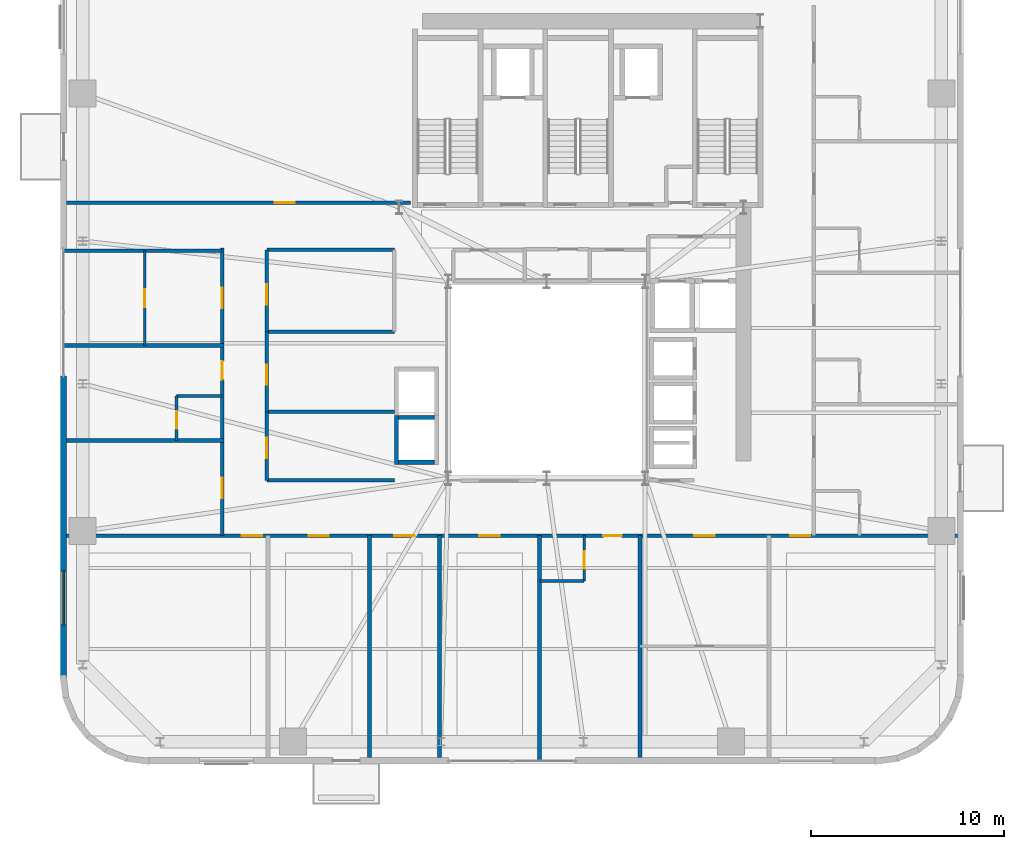
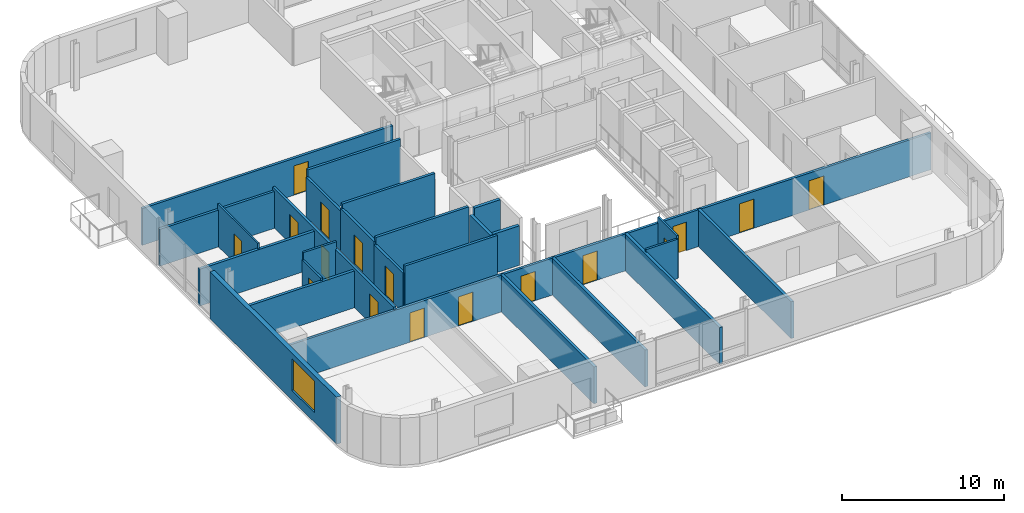
# One storey, part 7 of 13: 26 walls, 17 doors, 1 window, 18 openings.
"""IFC4 building model written with IfcOpenShell, lengths in metres."""

import ifcopenshell
import ifcopenshell.guid

model = None  # the IFC model being written
_history = None  # IfcOwnerHistory: only IFC2X3 demands one
_inside = {}  # id of a spatial element -> (the spatial element, [elements in it])
_under = {}  # id of a project, library or spatial element -> (it, [spatial elements below it])
_declared = {}  # id of a project -> (the project, [libraries it declares])
_typed = {}  # id of a type object -> (the type object, [elements of that type])
_made_of = {}  # id of a material, layer set ... -> (it, [elements and type objects made of it])


def new_model(schema):
    """Start an empty IFC model of exactly this schema.

    Asked for "IFC4X3", IfcOpenShell would pick the latest addendum, in which some entities
    have other attributes; the version numbers below select the first issue.
    IFC2X3 requires an IfcOwnerHistory on every rooted entity: one is made here for all.
    """
    global model, _history
    if schema == "IFC4X3":
        model = ifcopenshell.file(schema_version=(4, 3, 0, 0))
    else:
        model = ifcopenshell.file(schema=schema)
    _inside.clear()
    _under.clear()
    _declared.clear()
    _typed.clear()
    _made_of.clear()
    _history = None
    if model.schema == "IFC2X3":
        org = make("IfcOrganization", Name="unknown")
        user = make(
            "IfcPersonAndOrganization",
            ThePerson=make("IfcPerson", FamilyName="unknown"),
            TheOrganization=org,
        )
        app = make(
            "IfcApplication",
            ApplicationDeveloper=org,
            Version="unknown",
            ApplicationFullName="unknown",
            ApplicationIdentifier="unknown",
        )
        _history = make(
            "IfcOwnerHistory",
            OwningUser=user,
            OwningApplication=app,
            ChangeAction="ADDED",
            CreationDate=0,
        )
    return model


def make(cls, **values):
    """One entity of the class cls with the attributes given. An attribute that is None is left unset."""
    return model.create_entity(
        cls, **{name: value for name, value in values.items() if value is not None}
    )


def rooted(cls, **values):
    """An entity with a GlobalId (a new one), such as an element, a storey or a relation."""
    return make(cls, GlobalId=ifcopenshell.guid.new(), OwnerHistory=_history, **values)


def si_unit(unit_type, name, prefix=None):
    """IfcSIUnit, for example si_unit("LENGTHUNIT", "METRE", prefix="MILLI")."""
    return make("IfcSIUnit", UnitType=unit_type, Prefix=prefix, Name=name)


def assignment(units):
    """IfcUnitAssignment: the units of a project."""
    return None if units is None else make("IfcUnitAssignment", Units=units)


def point(xyz):
    """IfcCartesianPoint."""
    return None if xyz is None else make("IfcCartesianPoint", Coordinates=xyz)


def direction(xyz):
    """IfcDirection."""
    return None if xyz is None else make("IfcDirection", DirectionRatios=xyz)


def frame(location, z_axis=None, x_axis=None):
    """IfcAxis2Placement3D, a coordinate frame: its origin and axes. An axis left out is left unset."""
    return make(
        "IfcAxis2Placement3D",
        Location=point(location),
        Axis=direction(z_axis),
        RefDirection=direction(x_axis),
    )


def frame_2d(location, x_axis=None):
    """IfcAxis2Placement2D, a coordinate frame in the plane: its origin and x axis."""
    return make(
        "IfcAxis2Placement2D", Location=point(location), RefDirection=direction(x_axis)
    )


def origin():
    """The frame at (0, 0, 0) with its axes left unset."""
    return frame((0.0, 0.0, 0.0))


def place(relative_to, where):
    """IfcLocalPlacement: puts the frame where relative to a parent placement (None: the world)."""
    return make(
        "IfcLocalPlacement", PlacementRelTo=relative_to, RelativePlacement=where
    )


def context(
    kind, dimensions, precision=None, world=None, true_north=None, identifier=None
):
    """IfcGeometricRepresentationContext, for example the 3D "Model" context."""
    return make(
        "IfcGeometricRepresentationContext",
        ContextIdentifier=identifier,
        ContextType=kind,
        CoordinateSpaceDimension=dimensions,
        Precision=precision,
        WorldCoordinateSystem=world,
        TrueNorth=true_north,
    )


def subcontext(parent, identifier, kind, view, scale=None):
    """IfcGeometricRepresentationSubContext, for example "Body" below "Model"."""
    return make(
        "IfcGeometricRepresentationSubContext",
        ContextIdentifier=identifier,
        ContextType=kind,
        ParentContext=parent,
        TargetScale=scale,
        TargetView=view,
    )


def project(units=None, contexts=None):
    """IfcProject with its units and contexts."""
    return rooted(
        "IfcProject",
        Name="project",
        RepresentationContexts=contexts,
        UnitsInContext=assignment(units),
    )


def spatial(cls, under=None, at=None, **own):
    """A site, building, storey or space (cls), placed at a placement, below another one or the project."""
    s = rooted(cls, ObjectPlacement=at, **own)
    if under is not None:
        _under.setdefault(under.id(), (under, []))[1].append(s)
    return s


def profile(cls, at=None, kind="AREA", **sizes):
    """A parametric profile (cls). Its sizes go by their IFC names, for example OverallWidth=200.0."""
    return make(cls, ProfileType=kind, Position=at, **sizes)


def rectangle(**sizes):
    """IfcRectangleProfileDef."""
    return profile("IfcRectangleProfileDef", **sizes)


def extrude(swept, where, along, depth):
    """IfcExtrudedAreaSolid: the profile swept, set in the frame where, extruded along a direction by depth."""
    return make(
        "IfcExtrudedAreaSolid",
        SweptArea=swept,
        Position=where,
        ExtrudedDirection=direction(along),
        Depth=depth,
    )


def shape(context_of_items, identifier, shape_type, items):
    """IfcShapeRepresentation: the items that make up one representation, for example the "Body"."""
    return make(
        "IfcShapeRepresentation",
        ContextOfItems=context_of_items,
        RepresentationIdentifier=identifier,
        RepresentationType=shape_type,
        Items=items,
    )


def source(mapping_origin, context_of_items, identifier, shape_type, items):
    """IfcRepresentationMap: a shape defined once, which mapped items show again and again."""
    return make(
        "IfcRepresentationMap",
        MappingOrigin=mapping_origin,
        MappedRepresentation=shape(context_of_items, identifier, shape_type, items),
    )


def transform(
    local_origin,
    x_axis=None,
    y_axis=None,
    z_axis=None,
    scale=None,
    scale2=None,
    scale3=None,
    uniform=True,
):
    """IfcCartesianTransformationOperator3D, or its non-uniform kind. x_axis, y_axis, z_axis: its Axis1, 2, 3."""
    if uniform:
        return make(
            "IfcCartesianTransformationOperator3D",
            Axis1=direction(x_axis),
            Axis2=direction(y_axis),
            LocalOrigin=point(local_origin),
            Scale=scale,
            Axis3=direction(z_axis),
        )
    return make(
        "IfcCartesianTransformationOperator3DnonUniform",
        Axis1=direction(x_axis),
        Axis2=direction(y_axis),
        LocalOrigin=point(local_origin),
        Scale=scale,
        Axis3=direction(z_axis),
        Scale2=scale2,
        Scale3=scale3,
    )


def mapped(mapping_source, mapping_target):
    """IfcMappedItem: shows the shape of a source again, moved by a transform."""
    return make(
        "IfcMappedItem", MappingSource=mapping_source, MappingTarget=mapping_target
    )


def material(Name=None, Category=None):
    """IfcMaterial."""
    return make("IfcMaterial", Name=Name, Category=Category)


def layer(
    of_material, thickness, ventilated=None, Name=None, Category=None, Priority=None
):
    """IfcMaterialLayer: one layer of a wall or slab, of a material (None: an air gap)."""
    return make(
        "IfcMaterialLayer",
        Material=of_material,
        LayerThickness=thickness,
        IsVentilated=ventilated,
        Name=Name,
        Category=Category,
        Priority=Priority,
    )


def layer_set(layers, Name=None):
    """IfcMaterialLayerSet."""
    return make("IfcMaterialLayerSet", MaterialLayers=layers, LayerSetName=Name)


def made_of(thing, what):
    """Note that an element or type object is made of a material, layer set ...; save() writes the relation."""
    if what is not None:
        _made_of.setdefault(what.id(), (what, []))[1].append(thing)
    return thing


def type_object(cls, material=None, **own):
    """A type object (cls), such as IfcWallType, which elements share."""
    return made_of(rooted(cls, **own), material)


def element(
    cls,
    number,
    at=None,
    inside=None,
    cuts=None,
    type_object=None,
    material=None,
    context=None,
    identifier="Body",
    shape_type=None,
    held_by="IfcProductDefinitionShape",
    body=None,
    shapes=None,
    **own,
):
    """One element of the class cls, such as IfcWall. Its Tag is "e" and its number.

    at: its placement. inside: the storey or other place that contains it. cuts: it is an
    opening in that element (IfcRelVoidsElement). A single representation is given by context,
    identifier, shape_type and body (its items); several are given by shapes. held_by: the class
    of the entity that holds the representations. save() writes the other relations.
    """
    e = rooted(cls, Tag="e%d" % number, ObjectPlacement=at, **own)
    if body is not None:
        shapes = [shape(context, identifier, shape_type, body)]
    if shapes is not None:
        e.Representation = make(held_by, Representations=shapes)
    if inside is not None:
        _inside.setdefault(inside.id(), (inside, []))[1].append(e)
    if cuts is not None:
        rooted(
            "IfcRelVoidsElement", RelatingBuildingElement=cuts, RelatedOpeningElement=e
        )
    if type_object is not None:
        _typed.setdefault(type_object.id(), (type_object, []))[1].append(e)
    return made_of(e, material)


def fill(opening, filler):
    """IfcRelFillsElement: the door or window that sits in an opening."""
    return rooted(
        "IfcRelFillsElement",
        RelatingOpeningElement=opening,
        RelatedBuildingElement=filler,
    )


def aggregate(whole, parts):
    """IfcRelAggregates: a whole, such as a stair, and the parts it consists of."""
    return rooted("IfcRelAggregates", RelatingObject=whole, RelatedObjects=parts)


def save(model, path):
    """Write the relations noted so far, then the file.

    IfcRelAggregates (storeys below a building ...), IfcRelContainedInSpatialStructure (elements
    in a storey), IfcRelDefinesByType, IfcRelAssociatesMaterial and IfcRelDeclares: one each for
    every whole, place, type object, material and project.
    """
    for whole, parts in _under.values():
        aggregate(whole, parts)
    for where, things in _inside.values():
        rooted(
            "IfcRelContainedInSpatialStructure",
            RelatedElements=things,
            RelatingStructure=where,
        )
    for kind, things in _typed.values():
        rooted("IfcRelDefinesByType", RelatedObjects=things, RelatingType=kind)
    for what, things in _made_of.values():
        rooted("IfcRelAssociatesMaterial", RelatedObjects=things, RelatingMaterial=what)
    for by, libraries in _declared.values():
        rooted("IfcRelDeclares", RelatingContext=by, RelatedDefinitions=libraries)
    model.write(path)


model = new_model("IFC4")

# Units and contexts
model_context = context("Model", 3, precision=1e-05, world=origin(), true_north=direction((0.0, 1.0)))
body_context = subcontext(model_context, "Body", "Model", "MODEL_VIEW")
ifc_project = project(units=[si_unit("LENGTHUNIT", "METRE"), si_unit("AREAUNIT", "SQUARE_METRE"), si_unit("VOLUMEUNIT", "CUBIC_METRE"), si_unit("PLANEANGLEUNIT", "RADIAN"), si_unit("MASSUNIT", "GRAM", prefix="KILO")], contexts=[model_context])

# Site, building, storey
site_placement = place(None, origin())
site = spatial("IfcSite", under=ifc_project, at=site_placement, CompositionType="ELEMENT")
building_placement = place(site_placement, origin())
building = spatial("IfcBuilding", under=site, at=building_placement, Name="Vardaveli Station Tower", CompositionType="ELEMENT")
storey_placement = place(building_placement, frame((0.0, 0.0, 196.050048828125)))
storey = spatial("IfcBuildingStorey", under=building, at=storey_placement, Name="L50", CompositionType="ELEMENT", Elevation=196.050048828125)

# Wall, opening, window
ifc_material_1 = material(Name="Precast concrete C45/55", Category="concrete")
ifc_layer_1 = layer(ifc_material_1, 0.320068359375, Name="Precast concrete C45/55")
ifc_layer_set_1 = layer_set([ifc_layer_1], Name="Precast concrete C45/55")
wall_type_1 = type_object("IfcWallType", Name="WAL-EXT-STONE-320", PredefinedType="SOLIDWALL", material=ifc_layer_set_1)
shared_shape_1 = source(origin(), body_context, "Body", "SweptSolid", [
    extrude(rectangle(XDim=15.599853515625, YDim=0.320068359375, at=frame_2d((7.7998046875, 0.0))), origin(), (0.0, 0.0, 1.0), 3.530029296875),
])
wall_1_placement = place(storey_placement, frame((11.260009765625, 21.89990234375, 0.0), z_axis=(0.0, 0.0, 1.0), x_axis=(0.0, -1.0, 0.0)))
wall_1 = element("IfcWall", 1, at=wall_1_placement, inside=storey, type_object=wall_type_1, Name="EW-L50-W2", PredefinedType="SOLIDWALL", context=body_context, shape_type="MappedRepresentation", body=[
    mapped(shared_shape_1, transform((0.0, 0.0, 0.0), scale=1.0)),
])
shared_shape_2 = source(origin(), body_context, "Body", "SweptSolid", [
    extrude(rectangle(XDim=2.800048828125, YDim=2.39990234375, at=frame_2d((1.39990234375, 1.199951171875))), frame((0.0, 0.169921875, 0.0), z_axis=(0.0, -1.0, 0.0), x_axis=(1.0, 0.0, 0.0)), (0.0, 0.0, 1.0), 0.340087890625),
])
opening_1_placement = place(wall_1_placement, frame((10.094970703125, 0.0, 0.719970703125)))
opening_1 = element("IfcOpeningElement", 2, at=opening_1_placement, cuts=wall_1, Name="Opening W-04", PredefinedType="OPENING", context=body_context, shape_type="MappedRepresentation", body=[
    mapped(shared_shape_2, transform((0.0, 0.0, 0.0), scale=1.0)),
])
ifc_material_2 = material(Name="Low-E solar-control glass", Category="glass")
window_type = type_object("IfcWindowType", Name="WIN-SUITE-2800x2400", PartitioningType="SINGLE_PANEL", PredefinedType="WINDOW", material=ifc_material_2)
shared_shape_3 = source(origin(), body_context, "Body", "SweptSolid", [
    extrude(rectangle(XDim=2.800048828125, YDim=2.39990234375, at=frame_2d((1.39990234375, 1.199951171875))), frame((0.0, 0.030029296875, 0.0), z_axis=(0.0, -1.0, 0.0), x_axis=(1.0, 0.0, 0.0)), (0.0, 0.0, 1.0), 0.06005859375),
])
window_placement = place(opening_1_placement, origin())
window = element("IfcWindow", 3, at=window_placement, inside=storey, type_object=window_type, Name="WN-L50-W2", OverallHeight=2.39990234375, OverallWidth=2.800048828125, PartitioningType="SINGLE_PANEL", PredefinedType="WINDOW", context=body_context, shape_type="MappedRepresentation", body=[
    mapped(shared_shape_3, transform((0.0, 0.0, 0.0), scale=1.0)),
])
fill(opening_1, window)

# Walls
ifc_material_3 = material(Name="Concrete C40/50", Category="concrete")
ifc_layer_2 = layer(ifc_material_3, 0.219970703125, Name="Concrete C40/50")
ifc_layer_set_2 = layer_set([ifc_layer_2], Name="Concrete C40/50")
wall_type_2 = type_object("IfcWallType", Name="WAL-FFLOBBY-220", PredefinedType="SOLIDWALL", material=ifc_layer_set_2)
shared_shape_4 = source(origin(), body_context, "Body", "SweptSolid", [
    extrude(rectangle(XDim=1.85009765625, YDim=0.219970703125, at=frame_2d((0.925048828125, 0.0))), origin(), (0.0, 0.0, 1.0), 2.971923828125),
])
wall_2_placement = place(storey_placement, frame((28.625, 17.43994140625, 0.0), z_axis=(0.0, 0.0, 1.0), x_axis=(1.0, 0.0, 0.0)))
element("IfcWall", 4, at=wall_2_placement, inside=storey, type_object=wall_type_2, Name="SHW-OBS-01-L50-S", PredefinedType="SOLIDWALL", context=body_context, shape_type="MappedRepresentation", body=[
    mapped(shared_shape_4, transform((0.0, 0.0, 0.0), scale=1.0)),
])
shared_shape_5 = source(origin(), body_context, "Body", "SweptSolid", [
    extrude(rectangle(XDim=1.85009765625, YDim=0.219970703125, at=frame_2d((0.925048828125, 0.0))), origin(), (0.0, 0.0, 1.0), 3.530029296875),
])
wall_3_placement = place(storey_placement, frame((28.625, 19.760009765625, 0.0), z_axis=(0.0, 0.0, 1.0), x_axis=(1.0, 0.0, 0.0)))
element("IfcWall", 5, at=wall_3_placement, inside=storey, type_object=wall_type_2, Name="SHW-OBS-01-L50-N", PredefinedType="SOLIDWALL", context=body_context, shape_type="MappedRepresentation", body=[
    mapped(shared_shape_5, transform((0.0, 0.0, 0.0), scale=1.0)),
])
shared_shape_6 = source(origin(), body_context, "Body", "SweptSolid", [
    extrude(rectangle(XDim=2.5400390625, YDim=0.219970703125, at=frame_2d((1.27001953125, 0.0))), origin(), (0.0, 0.0, 1.0), 2.971923828125),
])
wall_4_placement = place(storey_placement, frame((28.514892578125, 17.330078125, 0.0), z_axis=(0.0, 0.0, 1.0), x_axis=(0.0, 1.0, 0.0)))
element("IfcWall", 6, at=wall_4_placement, inside=storey, type_object=wall_type_2, Name="SHW-OBS-01-L50-W", PredefinedType="SOLIDWALL", context=body_context, shape_type="MappedRepresentation", body=[
    mapped(shared_shape_6, transform((0.0, 0.0, 0.0), scale=1.0)),
])

# Wall, openings, doors
ifc_material_4 = material(Name="Fire-rated gypsum stud partition")
ifc_layer_3 = layer(ifc_material_4, 0.179931640625, Name="Fire-rated gypsum stud partition")
ifc_layer_set_3 = layer_set([ifc_layer_3], Name="Fire-rated gypsum stud partition")
wall_type_3 = type_object("IfcWallType", Name="WAL-CORR-180", PredefinedType="PARTITIONING", material=ifc_layer_set_3)
shared_shape_7 = source(origin(), body_context, "Body", "SweptSolid", [
    extrude(rectangle(XDim=46.15576171875, YDim=0.179931640625, at=frame_2d((23.077880859375, 0.0))), origin(), (0.0, 0.0, 1.0), 2.77197265625),
])
wall_5_placement = place(storey_placement, frame((11.422119140625, 13.6298828125, 0.0), z_axis=(0.0, 0.0, 1.0), x_axis=(1.0, 0.0, 0.0)))
wall_5 = element("IfcWall", 7, at=wall_5_placement, inside=storey, type_object=wall_type_3, Name="W-L50-CS", PredefinedType="PARTITIONING", context=body_context, shape_type="MappedRepresentation", body=[
    mapped(shared_shape_7, transform((0.0, 0.0, 0.0), scale=1.0)),
])
shared_shape_8 = source(origin(), body_context, "Body", "SweptSolid", [
    extrude(rectangle(XDim=1.050048828125, YDim=2.199951171875, at=frame_2d((0.52490234375, 1.10009765625))), frame((0.0, 0.10009765625, 0.0), z_axis=(0.0, -1.0, 0.0), x_axis=(1.0, 0.0, 0.0)), (0.0, 0.0, 1.0), 0.199951171875),
])
opening_2_placement = place(wall_5_placement, frame((9.077880859375, 0.0, 0.0)))
opening_2 = element("IfcOpeningElement", 8, at=opening_2_placement, cuts=wall_5, Name="Opening D-05", PredefinedType="OPENING", context=body_context, shape_type="MappedRepresentation", body=[
    mapped(shared_shape_8, transform((0.0, 0.0, 0.0), scale=1.0)),
])
opening_3_placement = place(wall_5_placement, frame((12.5380859375, 0.0, 0.0)))
opening_3 = element("IfcOpeningElement", 9, at=opening_3_placement, cuts=wall_5, Name="Opening D-05", PredefinedType="OPENING", context=body_context, shape_type="MappedRepresentation", body=[
    mapped(shared_shape_8, transform((0.0, 0.0, 0.0), scale=1.0)),
])
opening_4_placement = place(wall_5_placement, frame((16.982177734375, 0.0, 0.0)))
opening_4 = element("IfcOpeningElement", 10, at=opening_4_placement, cuts=wall_5, Name="Opening D-05", PredefinedType="OPENING", context=body_context, shape_type="MappedRepresentation", body=[
    mapped(shared_shape_8, transform((0.0, 0.0, 0.0), scale=1.0)),
])
opening_5_placement = place(wall_5_placement, frame((21.39306640625, 0.0, 0.0)))
opening_5 = element("IfcOpeningElement", 11, at=opening_5_placement, cuts=wall_5, Name="Opening D-05", PredefinedType="OPENING", context=body_context, shape_type="MappedRepresentation", body=[
    mapped(shared_shape_8, transform((0.0, 0.0, 0.0), scale=1.0)),
])
shared_shape_9 = source(origin(), body_context, "Body", "SweptSolid", [
    extrude(rectangle(XDim=0.949951171875, YDim=2.14990234375, at=frame_2d((0.47509765625, 1.074951171875))), frame((0.0, 0.10009765625, 0.0), z_axis=(0.0, -1.0, 0.0), x_axis=(1.0, 0.0, 0.0)), (0.0, 0.0, 1.0), 0.199951171875),
])
opening_6_placement = place(wall_5_placement, frame((27.81201171875, 0.0, 0.0)))
opening_6 = element("IfcOpeningElement", 12, at=opening_6_placement, cuts=wall_5, Name="Opening D-06", PredefinedType="OPENING", context=body_context, shape_type="MappedRepresentation", body=[
    mapped(shared_shape_9, transform((0.0, 0.0, 0.0), scale=1.0)),
])
opening_7_placement = place(wall_5_placement, frame((32.531005859375, 0.0, 0.0)))
opening_7 = element("IfcOpeningElement", 13, at=opening_7_placement, cuts=wall_5, Name="Opening D-05", PredefinedType="OPENING", context=body_context, shape_type="MappedRepresentation", body=[
    mapped(shared_shape_8, transform((0.0, 0.0, 0.0), scale=1.0)),
])
opening_8_placement = place(wall_5_placement, frame((37.498046875, 0.0, 0.0)))
opening_8 = element("IfcOpeningElement", 14, at=opening_8_placement, cuts=wall_5, Name="Opening D-05", PredefinedType="OPENING", context=body_context, shape_type="MappedRepresentation", body=[
    mapped(shared_shape_8, transform((0.0, 0.0, 0.0), scale=1.0)),
])
ifc_material_5 = material(Name="Walnut veneer acoustic fire door")
door_type_1 = type_object("IfcDoorType", Name="DR-SUITE-1050x2200", OperationType="NOTDEFINED", PredefinedType="DOOR", material=ifc_material_5)
shared_shape_10 = source(origin(), body_context, "Body", "SweptSolid", [
    extrude(rectangle(XDim=1.050048828125, YDim=2.199951171875, at=frame_2d((0.52490234375, 1.10009765625))), frame((0.0, 0.02490234375, 0.0), z_axis=(0.0, -1.0, 0.0), x_axis=(1.0, 0.0, 0.0)), (0.0, 0.0, 1.0), 0.050048828125),
])
door_1_placement = place(opening_2_placement, origin())
door_1 = element("IfcDoor", 15, at=door_1_placement, inside=storey, type_object=door_type_1, Name="D-L50-SA1", OperationType="SINGLE_SWING_RIGHT", OverallHeight=2.199951171875, OverallWidth=1.050048828125, PredefinedType="DOOR", context=body_context, shape_type="MappedRepresentation", body=[
    mapped(shared_shape_10, transform((0.0, 0.0, 0.0), scale=1.0)),
])
fill(opening_2, door_1)
door_2_placement = place(opening_3_placement, origin())
door_2 = element("IfcDoor", 16, at=door_2_placement, inside=storey, type_object=door_type_1, Name="D-L50-SA2", OperationType="SINGLE_SWING_LEFT", OverallHeight=2.199951171875, OverallWidth=1.050048828125, PredefinedType="DOOR", context=body_context, shape_type="MappedRepresentation", body=[
    mapped(shared_shape_10, transform((0.0, 0.0, 0.0), scale=1.0)),
])
fill(opening_3, door_2)
door_3_placement = place(opening_4_placement, origin())
door_3 = element("IfcDoor", 17, at=door_3_placement, inside=storey, type_object=door_type_1, Name="D-L50-SA3", OperationType="SINGLE_SWING_RIGHT", OverallHeight=2.199951171875, OverallWidth=1.050048828125, PredefinedType="DOOR", context=body_context, shape_type="MappedRepresentation", body=[
    mapped(shared_shape_10, transform((0.0, 0.0, 0.0), scale=1.0)),
])
fill(opening_4, door_3)
door_4_placement = place(opening_5_placement, origin())
door_4 = element("IfcDoor", 18, at=door_4_placement, inside=storey, type_object=door_type_1, Name="D-L50-SA4", OperationType="SINGLE_SWING_LEFT", OverallHeight=2.199951171875, OverallWidth=1.050048828125, PredefinedType="DOOR", context=body_context, shape_type="MappedRepresentation", body=[
    mapped(shared_shape_10, transform((0.0, 0.0, 0.0), scale=1.0)),
])
fill(opening_5, door_4)
door_5_placement = place(opening_7_placement, origin())
door_5 = element("IfcDoor", 19, at=door_5_placement, inside=storey, type_object=door_type_1, Name="D-L50-SCB6", OperationType="SINGLE_SWING_LEFT", OverallHeight=2.199951171875, OverallWidth=1.050048828125, PredefinedType="DOOR", context=body_context, shape_type="MappedRepresentation", body=[
    mapped(shared_shape_10, transform((0.0, 0.0, 0.0), scale=1.0)),
])
fill(opening_7, door_5)
door_6_placement = place(opening_8_placement, origin())
door_6 = element("IfcDoor", 20, at=door_6_placement, inside=storey, type_object=door_type_1, Name="D-L50-SA7", OperationType="SINGLE_SWING_RIGHT", OverallHeight=2.199951171875, OverallWidth=1.050048828125, PredefinedType="DOOR", context=body_context, shape_type="MappedRepresentation", body=[
    mapped(shared_shape_10, transform((0.0, 0.0, 0.0), scale=1.0)),
])
fill(opening_8, door_6)
ifc_material_6 = material(Name="Oak veneer acoustic fire door")
door_type_2 = type_object("IfcDoorType", Name="DR-GUEST-950x2150", OperationType="NOTDEFINED", PredefinedType="DOOR", material=ifc_material_6)
shared_shape_11 = source(origin(), body_context, "Body", "SweptSolid", [
    extrude(rectangle(XDim=0.949951171875, YDim=2.14990234375, at=frame_2d((0.47509765625, 1.074951171875))), frame((0.0, 0.02490234375, 0.0), z_axis=(0.0, -1.0, 0.0), x_axis=(1.0, 0.0, 0.0)), (0.0, 0.0, 1.0), 0.050048828125),
])
door_7_placement = place(opening_6_placement, origin())
door_7 = element("IfcDoor", 21, at=door_7_placement, inside=storey, type_object=door_type_2, Name="D-L50-GS5", OperationType="SINGLE_SWING_RIGHT", OverallHeight=2.14990234375, OverallWidth=0.949951171875, PredefinedType="DOOR", context=body_context, shape_type="MappedRepresentation", body=[
    mapped(shared_shape_11, transform((0.0, 0.0, 0.0), scale=1.0)),
])
fill(opening_6, door_7)

# Wall, opening, door
shared_shape_12 = source(origin(), body_context, "Body", "SweptSolid", [
    extrude(rectangle(XDim=17.827880859375, YDim=0.179931640625, at=frame_2d((8.9140625, 0.0))), origin(), (0.0, 0.0, 1.0), 2.77197265625),
])
wall_6_placement = place(storey_placement, frame((11.422119140625, 30.8798828125, 0.0), z_axis=(0.0, 0.0, 1.0), x_axis=(1.0, 0.0, 0.0)))
wall_6 = element("IfcWall", 22, at=wall_6_placement, inside=storey, type_object=wall_type_3, Name="W-L50-CNWS", PredefinedType="PARTITIONING", context=body_context, shape_type="MappedRepresentation", body=[
    mapped(shared_shape_12, transform((0.0, 0.0, 0.0), scale=1.0)),
])
opening_9_placement = place(wall_6_placement, frame((10.778076171875, 0.0, 0.0)))
opening_9 = element("IfcOpeningElement", 23, at=opening_9_placement, cuts=wall_6, Name="Opening D-05", PredefinedType="OPENING", context=body_context, shape_type="MappedRepresentation", body=[
    mapped(shared_shape_8, transform((0.0, 0.0, 0.0), scale=1.0)),
])
door_8_placement = place(opening_9_placement, origin())
door_8 = element("IfcDoor", 24, at=door_8_placement, inside=storey, type_object=door_type_1, Name="D-L50-GNW1", OperationType="SINGLE_SWING_RIGHT", OverallHeight=2.199951171875, OverallWidth=1.050048828125, PredefinedType="DOOR", context=body_context, shape_type="MappedRepresentation", body=[
    mapped(shared_shape_10, transform((0.0, 0.0, 0.0), scale=1.0)),
])
fill(opening_9, door_8)

shared_shape_13 = source(origin(), body_context, "Body", "SweptSolid", [
    extrude(rectangle(XDim=4.239990234375, YDim=0.179931640625, at=frame_2d((2.1201171875, 0.0))), origin(), (0.0, 0.0, 1.0), 2.971923828125),
])
wall_7_placement = place(storey_placement, frame((21.800048828125, 24.199951171875, 0.0), z_axis=(0.0, 0.0, 1.0), x_axis=(0.0, 1.0, 0.0)))
wall_7 = element("IfcWall", 25, at=wall_7_placement, inside=storey, type_object=wall_type_3, Name="W-L50-ATWC-W", PredefinedType="PARTITIONING", context=body_context, shape_type="MappedRepresentation", body=[
    mapped(shared_shape_13, transform((0.0, 0.0, 0.0), scale=1.0)),
])
opening_10_placement = place(wall_7_placement, frame((1.39990234375, 0.0, 0.0)))
opening_10 = element("IfcOpeningElement", 26, at=opening_10_placement, cuts=wall_7, Name="Opening D-05", PredefinedType="OPENING", context=body_context, shape_type="MappedRepresentation", body=[
    mapped(shared_shape_8, transform((0.0, 0.0, 0.0), scale=1.0)),
])
door_9_placement = place(opening_10_placement, origin())
door_9 = element("IfcDoor", 27, at=door_9_placement, inside=storey, type_object=door_type_1, Name="D-L50-ATW3", OperationType="SINGLE_SWING_LEFT", OverallHeight=2.199951171875, OverallWidth=1.050048828125, PredefinedType="DOOR", context=body_context, shape_type="MappedRepresentation", body=[
    mapped(shared_shape_10, transform((0.0, 0.0, 0.0), scale=1.0)),
])
fill(opening_10, door_9)

shared_shape_14 = source(origin(), body_context, "Body", "SweptSolid", [
    extrude(rectangle(XDim=4.14990234375, YDim=0.179931640625, at=frame_2d((2.074951171875, 0.0))), origin(), (0.0, 0.0, 1.0), 3.19189453125),
])
wall_8_placement = place(storey_placement, frame((21.800048828125, 20.050048828125, 0.0), z_axis=(0.0, 0.0, 1.0), x_axis=(0.0, 1.0, 0.0)))
wall_8 = element("IfcWall", 28, at=wall_8_placement, inside=storey, type_object=wall_type_3, Name="W-L50-ATWB-W", PredefinedType="PARTITIONING", context=body_context, shape_type="MappedRepresentation", body=[
    mapped(shared_shape_14, transform((0.0, 0.0, 0.0), scale=1.0)),
])
opening_11_placement = place(wall_8_placement, frame((1.39990234375, 0.0, 0.0)))
opening_11 = element("IfcOpeningElement", 29, at=opening_11_placement, cuts=wall_8, Name="Opening D-05", PredefinedType="OPENING", context=body_context, shape_type="MappedRepresentation", body=[
    mapped(shared_shape_8, transform((0.0, 0.0, 0.0), scale=1.0)),
])
door_10_placement = place(opening_11_placement, origin())
door_10 = element("IfcDoor", 30, at=door_10_placement, inside=storey, type_object=door_type_1, Name="D-L50-ATW2", OperationType="SINGLE_SWING_RIGHT", OverallHeight=2.199951171875, OverallWidth=1.050048828125, PredefinedType="DOOR", context=body_context, shape_type="MappedRepresentation", body=[
    mapped(shared_shape_10, transform((0.0, 0.0, 0.0), scale=1.0)),
])
fill(opening_11, door_10)

shared_shape_15 = source(origin(), body_context, "Body", "SweptSolid", [
    extrude(rectangle(XDim=3.550048828125, YDim=0.179931640625, at=frame_2d((1.77490234375, 0.0))), origin(), (0.0, 0.0, 1.0), 2.971923828125),
])
wall_9_placement = place(storey_placement, frame((21.800048828125, 16.5, 0.0), z_axis=(0.0, 0.0, 1.0), x_axis=(0.0, 1.0, 0.0)))
wall_9 = element("IfcWall", 31, at=wall_9_placement, inside=storey, type_object=wall_type_3, Name="W-L50-ATWA-W", PredefinedType="PARTITIONING", context=body_context, shape_type="MappedRepresentation", body=[
    mapped(shared_shape_15, transform((0.0, 0.0, 0.0), scale=1.0)),
])
opening_12_placement = place(wall_9_placement, frame((1.14990234375, 0.0, 0.0)))
opening_12 = element("IfcOpeningElement", 32, at=opening_12_placement, cuts=wall_9, Name="Opening D-05", PredefinedType="OPENING", context=body_context, shape_type="MappedRepresentation", body=[
    mapped(shared_shape_8, transform((0.0, 0.0, 0.0), scale=1.0)),
])
door_11_placement = place(opening_12_placement, origin())
door_11 = element("IfcDoor", 33, at=door_11_placement, inside=storey, type_object=door_type_1, Name="D-L50-ATW1", OperationType="SINGLE_SWING_RIGHT", OverallHeight=2.199951171875, OverallWidth=1.050048828125, PredefinedType="DOOR", context=body_context, shape_type="MappedRepresentation", body=[
    mapped(shared_shape_10, transform((0.0, 0.0, 0.0), scale=1.0)),
])
fill(opening_12, door_11)

ifc_material_7 = material(Name="Moisture-resistant stud partition")
ifc_layer_4 = layer(ifc_material_7, 0.14990234375, Name="Moisture-resistant stud partition")
ifc_layer_set_4 = layer_set([ifc_layer_4], Name="Moisture-resistant stud partition")
wall_type_4 = type_object("IfcWallType", Name="WAL-WET-150", PredefinedType="PARTITIONING", material=ifc_layer_set_4)
shared_shape_16 = source(origin(), body_context, "Body", "SweptSolid", [
    extrude(rectangle(XDim=2.2900390625, YDim=0.14990234375, at=frame_2d((1.14501953125, 0.0))), origin(), (0.0, 0.0, 1.0), 2.971923828125),
])
wall_10_placement = place(storey_placement, frame((17.1201171875, 18.572998046875, 0.0), z_axis=(0.0, 0.0, 1.0), x_axis=(0.0, 1.0, 0.0)))
wall_10 = element("IfcWall", 34, at=wall_10_placement, inside=storey, type_object=wall_type_4, Name="W-L50-BW2-W", PredefinedType="PARTITIONING", context=body_context, shape_type="MappedRepresentation", body=[
    mapped(shared_shape_16, transform((0.0, 0.0, 0.0), scale=1.0)),
])
shared_shape_17 = source(origin(), body_context, "Body", "SweptSolid", [
    extrude(rectangle(XDim=0.89990234375, YDim=2.10009765625, at=frame_2d((0.449951171875, 1.050048828125))), frame((0.0, 0.0849609375, 0.0), z_axis=(0.0, -1.0, 0.0), x_axis=(1.0, 0.0, 0.0)), (0.0, 0.0, 1.0), 0.169921875),
])
opening_13_placement = place(wall_10_placement, frame((0.60009765625, 0.0, 0.0)))
opening_13 = element("IfcOpeningElement", 35, at=opening_13_placement, cuts=wall_10, Name="Opening D-08", PredefinedType="OPENING", context=body_context, shape_type="MappedRepresentation", body=[
    mapped(shared_shape_17, transform((0.0, 0.0, 0.0), scale=1.0)),
])
ifc_material_8 = material(Name="Moisture-resistant oak door")
door_type_3 = type_object("IfcDoorType", Name="DR-BATH-900x2100", OperationType="NOTDEFINED", PredefinedType="DOOR", material=ifc_material_8)
shared_shape_18 = source(origin(), body_context, "Body", "SweptSolid", [
    extrude(rectangle(XDim=0.89990234375, YDim=2.10009765625, at=frame_2d((0.449951171875, 1.050048828125))), frame((0.0, 0.02490234375, 0.0), z_axis=(0.0, -1.0, 0.0), x_axis=(1.0, 0.0, 0.0)), (0.0, 0.0, 1.0), 0.050048828125),
])
door_12_placement = place(opening_13_placement, origin())
door_12 = element("IfcDoor", 36, at=door_12_placement, inside=storey, type_object=door_type_3, Name="D-L50-BW2", OperationType="SINGLE_SWING_RIGHT", OverallHeight=2.10009765625, OverallWidth=0.89990234375, PredefinedType="DOOR", context=body_context, shape_type="MappedRepresentation", body=[
    mapped(shared_shape_18, transform((0.0, 0.0, 0.0), scale=1.0)),
])
fill(opening_13, door_12)

# Walls
wall_11_placement = place(storey_placement, frame((35.951904296875, 11.27001953125, 0.0), z_axis=(0.0, 0.0, 1.0), x_axis=(1.0, 0.0, 0.0)))
element("IfcWall", 37, at=wall_11_placement, inside=storey, type_object=wall_type_4, Name="W-L50-BS5-S", PredefinedType="PARTITIONING", context=body_context, shape_type="MappedRepresentation", body=[
    mapped(shared_shape_16, transform((0.0, 0.0, 0.0), scale=1.0)),
])
shared_shape_19 = source(origin(), body_context, "Body", "SweptSolid", [
    extrude(rectangle(XDim=2.35986328125, YDim=0.14990234375, at=frame_2d((1.179931640625, 0.0))), origin(), (0.0, 0.0, 1.0), 3.530029296875),
])
wall_12_placement = place(storey_placement, frame((17.1201171875, 20.863037109375, 0.0), z_axis=(0.0, 0.0, 1.0), x_axis=(1.0, 0.0, 0.0)))
element("IfcWall", 38, at=wall_12_placement, inside=storey, type_object=wall_type_4, Name="W-L50-BW2-N", PredefinedType="PARTITIONING", context=body_context, shape_type="MappedRepresentation", body=[
    mapped(shared_shape_19, transform((0.0, 0.0, 0.0), scale=1.0)),
])

# Wall, openings, doors
shared_shape_20 = source(origin(), body_context, "Body", "SweptSolid", [
    extrude(rectangle(XDim=14.920166015625, YDim=0.179931640625, at=frame_2d((7.4599609375, 0.0))), origin(), (0.0, 0.0, 1.0), 2.971923828125),
])
wall_13_placement = place(storey_placement, frame((19.47998046875, 13.6298828125, 0.0), z_axis=(0.0, 0.0, 1.0), x_axis=(0.0, 1.0, 0.0)))
wall_13 = element("IfcWall", 39, at=wall_13_placement, inside=storey, type_object=wall_type_3, Name="W-L50-CW", PredefinedType="PARTITIONING", context=body_context, shape_type="MappedRepresentation", body=[
    mapped(shared_shape_20, transform((0.0, 0.0, 0.0), scale=1.0)),
])
opening_14_placement = place(wall_13_placement, frame((1.941650390625, 0.0, 0.0)))
opening_14 = element("IfcOpeningElement", 40, at=opening_14_placement, cuts=wall_13, Name="Opening D-05", PredefinedType="OPENING", context=body_context, shape_type="MappedRepresentation", body=[
    mapped(shared_shape_8, transform((0.0, 0.0, 0.0), scale=1.0)),
])
opening_15_placement = place(wall_13_placement, frame((8.090087890625, 0.0, 0.0)))
opening_15 = element("IfcOpeningElement", 41, at=opening_15_placement, cuts=wall_13, Name="Opening D-06", PredefinedType="OPENING", context=body_context, shape_type="MappedRepresentation", body=[
    mapped(shared_shape_9, transform((0.0, 0.0, 0.0), scale=1.0)),
])
opening_16_placement = place(wall_13_placement, frame((11.788330078125, 0.0, 0.0)))
opening_16 = element("IfcOpeningElement", 42, at=opening_16_placement, cuts=wall_13, Name="Opening D-05", PredefinedType="OPENING", context=body_context, shape_type="MappedRepresentation", body=[
    mapped(shared_shape_8, transform((0.0, 0.0, 0.0), scale=1.0)),
])
door_13_placement = place(opening_14_placement, origin())
door_13 = element("IfcDoor", 43, at=door_13_placement, inside=storey, type_object=door_type_1, Name="D-L50-GW1", OperationType="SINGLE_SWING_LEFT", OverallHeight=2.199951171875, OverallWidth=1.050048828125, PredefinedType="DOOR", context=body_context, shape_type="MappedRepresentation", body=[
    mapped(shared_shape_10, transform((0.0, 0.0, 0.0), scale=1.0)),
])
fill(opening_14, door_13)
door_14_placement = place(opening_16_placement, origin())
door_14 = element("IfcDoor", 44, at=door_14_placement, inside=storey, type_object=door_type_1, Name="D-L50-GW3", OperationType="SINGLE_SWING_LEFT", OverallHeight=2.199951171875, OverallWidth=1.050048828125, PredefinedType="DOOR", context=body_context, shape_type="MappedRepresentation", body=[
    mapped(shared_shape_10, transform((0.0, 0.0, 0.0), scale=1.0)),
])
fill(opening_16, door_14)
door_15_placement = place(opening_15_placement, origin())
door_15 = element("IfcDoor", 45, at=door_15_placement, inside=storey, type_object=door_type_2, Name="D-L50-GW2", OperationType="SINGLE_SWING_RIGHT", OverallHeight=2.14990234375, OverallWidth=0.949951171875, PredefinedType="DOOR", context=body_context, shape_type="MappedRepresentation", body=[
    mapped(shared_shape_11, transform((0.0, 0.0, 0.0), scale=1.0)),
])
fill(opening_15, door_15)

# Wall, opening, door
ifc_material_9 = material(Name="Gypsum board stud partition")
ifc_layer_5 = layer(ifc_material_9, 0.125, Name="Gypsum board stud partition")
ifc_layer_set_5 = layer_set([ifc_layer_5], Name="Gypsum board stud partition")
wall_type_5 = type_object("IfcWallType", Name="WAL-INT-125", PredefinedType="PARTITIONING", material=ifc_layer_set_5)
shared_shape_21 = source(origin(), body_context, "Body", "SweptSolid", [
    extrude(rectangle(XDim=4.9228515625, YDim=0.125, at=frame_2d((2.46142578125, 0.0))), origin(), (0.0, 0.0, 1.0), 3.19189453125),
])
wall_14_placement = place(storey_placement, frame((15.465087890625, 23.47705078125, 0.0), z_axis=(0.0, 0.0, 1.0), x_axis=(0.0, 1.0, 0.0)))
wall_14 = element("IfcWall", 46, at=wall_14_placement, inside=storey, type_object=wall_type_5, Name="W-L50-WCM3", PredefinedType="PARTITIONING", context=body_context, shape_type="MappedRepresentation", body=[
    mapped(shared_shape_21, transform((0.0, 0.0, 0.0), scale=1.0)),
])
shared_shape_22 = source(origin(), body_context, "Body", "SweptSolid", [
    extrude(rectangle(XDim=0.949951171875, YDim=2.14990234375, at=frame_2d((0.47509765625, 1.074951171875))), frame((0.0, 0.072509765625, 0.0), z_axis=(0.0, -1.0, 0.0), x_axis=(1.0, 0.0, 0.0)), (0.0, 0.0, 1.0), 0.14501953125),
])
opening_17_placement = place(wall_14_placement, frame((1.981689453125, 0.0, 0.0)))
opening_17 = element("IfcOpeningElement", 47, at=opening_17_placement, cuts=wall_14, Name="Opening D-11", PredefinedType="OPENING", context=body_context, shape_type="MappedRepresentation", body=[
    mapped(shared_shape_22, transform((0.0, 0.0, 0.0), scale=1.0)),
])
ifc_material_10 = material(Name="Oak veneer internal suite door")
door_type_4 = type_object("IfcDoorType", Name="DR-INT-950x2150", OperationType="NOTDEFINED", PredefinedType="DOOR", material=ifc_material_10)
door_16_placement = place(opening_17_placement, origin())
door_16 = element("IfcDoor", 48, at=door_16_placement, inside=storey, type_object=door_type_4, Name="D-L50-GWF3", OperationType="SINGLE_SWING_LEFT", OverallHeight=2.14990234375, OverallWidth=0.949951171875, PredefinedType="DOOR", context=body_context, shape_type="MappedRepresentation", body=[
    mapped(shared_shape_11, transform((0.0, 0.0, 0.0), scale=1.0)),
])
fill(opening_17, door_16)

shared_shape_23 = source(origin(), body_context, "Body", "SweptSolid", [
    extrude(rectangle(XDim=2.35986328125, YDim=0.14990234375, at=frame_2d((1.179931640625, 0.0))), origin(), (0.0, 0.0, 1.0), 3.19189453125),
])
wall_15_placement = place(storey_placement, frame((38.241943359375, 11.27001953125, 0.0), z_axis=(0.0, 0.0, 1.0), x_axis=(0.0, 1.0, 0.0)))
wall_15 = element("IfcWall", 49, at=wall_15_placement, inside=storey, type_object=wall_type_4, Name="W-L50-BS5-E", PredefinedType="PARTITIONING", context=body_context, shape_type="MappedRepresentation", body=[
    mapped(shared_shape_23, transform((0.0, 0.0, 0.0), scale=1.0)),
])
opening_18_placement = place(wall_15_placement, frame((0.64990234375, 0.0, 0.0)))
opening_18 = element("IfcOpeningElement", 50, at=opening_18_placement, cuts=wall_15, Name="Opening D-08", PredefinedType="OPENING", context=body_context, shape_type="MappedRepresentation", body=[
    mapped(shared_shape_17, transform((0.0, 0.0, 0.0), scale=1.0)),
])
door_17_placement = place(opening_18_placement, origin())
door_17 = element("IfcDoor", 51, at=door_17_placement, inside=storey, type_object=door_type_3, Name="D-L50-BS5", OperationType="SINGLE_SWING_RIGHT", OverallHeight=2.10009765625, OverallWidth=0.89990234375, PredefinedType="DOOR", context=body_context, shape_type="MappedRepresentation", body=[
    mapped(shared_shape_18, transform((0.0, 0.0, 0.0), scale=1.0)),
])
fill(opening_18, door_17)

# Walls
ifc_material_11 = material(Name="Acoustic twin-stud gypsum partition")
ifc_layer_6 = layer(ifc_material_11, 0.199951171875, Name="Acoustic twin-stud gypsum partition")
ifc_layer_set_6 = layer_set([ifc_layer_6], Name="Acoustic twin-stud gypsum partition")
wall_type_6 = type_object("IfcWallType", Name="WAL-PARTY-200", PredefinedType="PARTITIONING", material=ifc_layer_set_6)
shared_shape_24 = source(origin(), body_context, "Body", "SweptSolid", [
    extrude(rectangle(XDim=11.5078125, YDim=0.199951171875, at=frame_2d((5.75390625, 0.0))), origin(), (0.0, 0.0, 1.0), 2.77197265625),
])
for number, where, z_axis, x_axis, name in (
    (52, (27.110107421875, 2.1220703125, 0.0), (0.0, 0.0, 1.0), (0.0, 1.0, 0.0), "W-L50-PS2"),
    (53, (30.738037109375, 2.1220703125, 0.0), (0.0, 0.0, 1.0), (0.0, 1.0, 0.0), "W-L50-PS3"),
    (54, (41.1259765625, 2.1220703125, 0.0), (0.0, 0.0, 1.0), (0.0, 1.0, 0.0), "W-L50-PS5"),
):
    element("IfcWall", number, at=place(storey_placement, frame(where, z_axis=z_axis, x_axis=x_axis)), inside=storey, type_object=wall_type_6, Name=name, PredefinedType="PARTITIONING", context=body_context, shape_type="MappedRepresentation", body=[
        mapped(shared_shape_24, transform((0.0, 0.0, 0.0), scale=1.0)),
    ])
shared_shape_25 = source(origin(), body_context, "Body", "SweptSolid", [
    extrude(rectangle(XDim=11.699951171875, YDim=0.199951171875, at=frame_2d((5.85009765625, 0.0))), origin(), (0.0, 0.0, 1.0), 2.77197265625),
])
wall_16_placement = place(storey_placement, frame((35.931884765625, 1.929931640625, 0.0), z_axis=(0.0, 0.0, 1.0), x_axis=(0.0, 1.0, 0.0)))
element("IfcWall", 55, at=wall_16_placement, inside=storey, type_object=wall_type_6, Name="W-L50-PS4", PredefinedType="PARTITIONING", context=body_context, shape_type="MappedRepresentation", body=[
    mapped(shared_shape_25, transform((0.0, 0.0, 0.0), scale=1.0)),
])
shared_shape_26 = source(origin(), body_context, "Body", "SweptSolid", [
    extrude(rectangle(XDim=8.157958984375, YDim=0.199951171875, at=frame_2d((4.0791015625, 0.0))), origin(), (0.0, 0.0, 1.0), 2.77197265625),
])
wall_17_placement = place(storey_placement, frame((11.422119140625, 18.552978515625, 0.0), z_axis=(0.0, 0.0, 1.0), x_axis=(1.0, 0.0, 0.0)))
element("IfcWall", 56, at=wall_17_placement, inside=storey, type_object=wall_type_6, Name="W-L50-PW1", PredefinedType="PARTITIONING", context=body_context, shape_type="MappedRepresentation", body=[
    mapped(shared_shape_26, transform((0.0, 0.0, 0.0), scale=1.0)),
])
shared_shape_27 = source(origin(), body_context, "Body", "SweptSolid", [
    extrude(rectangle(XDim=8.35009765625, YDim=0.199951171875, at=frame_2d((4.175048828125, 0.0))), origin(), (0.0, 0.0, 1.0), 2.77197265625),
])
wall_18_placement = place(storey_placement, frame((11.22998046875, 23.47705078125, 0.0), z_axis=(0.0, 0.0, 1.0), x_axis=(1.0, 0.0, 0.0)))
element("IfcWall", 57, at=wall_18_placement, inside=storey, type_object=wall_type_6, Name="W-L50-PW2", PredefinedType="PARTITIONING", context=body_context, shape_type="MappedRepresentation", body=[
    mapped(shared_shape_27, transform((0.0, 0.0, 0.0), scale=1.0)),
])
shared_shape_28 = source(origin(), body_context, "Body", "SweptSolid", [
    extrude(rectangle(XDim=8.25, YDim=0.179931640625, at=frame_2d((4.125, 0.0))), origin(), (0.0, 0.0, 1.0), 2.77197265625),
])
wall_19_placement = place(storey_placement, frame((11.22998046875, 28.39990234375, 0.0), z_axis=(0.0, 0.0, 1.0), x_axis=(1.0, 0.0, 0.0)))
element("IfcWall", 58, at=wall_19_placement, inside=storey, type_object=wall_type_3, Name="W-L50-CWN", PredefinedType="PARTITIONING", context=body_context, shape_type="MappedRepresentation", body=[
    mapped(shared_shape_28, transform((0.0, 0.0, 0.0), scale=1.0)),
])
shared_shape_29 = source(origin(), body_context, "Body", "SweptSolid", [
    extrude(rectangle(XDim=6.599853515625, YDim=0.179931640625, at=frame_2d((3.2998046875, 0.0))), origin(), (0.0, 0.0, 1.0), 3.530029296875),
])
for number, where, z_axis, x_axis, name in (
    (59, (21.800048828125, 16.5, 0.0), (0.0, 0.0, 1.0), (1.0, 0.0, 0.0), "W-L50-ATWA-S"),
    (60, (21.800048828125, 20.050048828125, 0.0), (0.0, 0.0, 1.0), (1.0, 0.0, 0.0), "W-L50-ATWA-N"),
    (61, (21.800048828125, 24.199951171875, 0.0), (0.0, 0.0, 1.0), (1.0, 0.0, 0.0), "W-L50-ATWB-N"),
    (62, (21.800048828125, 28.43994140625, 0.0), (0.0, 0.0, 1.0), (1.0, 0.0, 0.0), "W-L50-ATWC-N"),
):
    element("IfcWall", number, at=place(storey_placement, frame(where, z_axis=z_axis, x_axis=x_axis)), inside=storey, type_object=wall_type_3, Name=name, PredefinedType="PARTITIONING", context=body_context, shape_type="MappedRepresentation", body=[
        mapped(shared_shape_29, transform((0.0, 0.0, 0.0), scale=1.0)),
    ])

save(model, "model.ifc")
